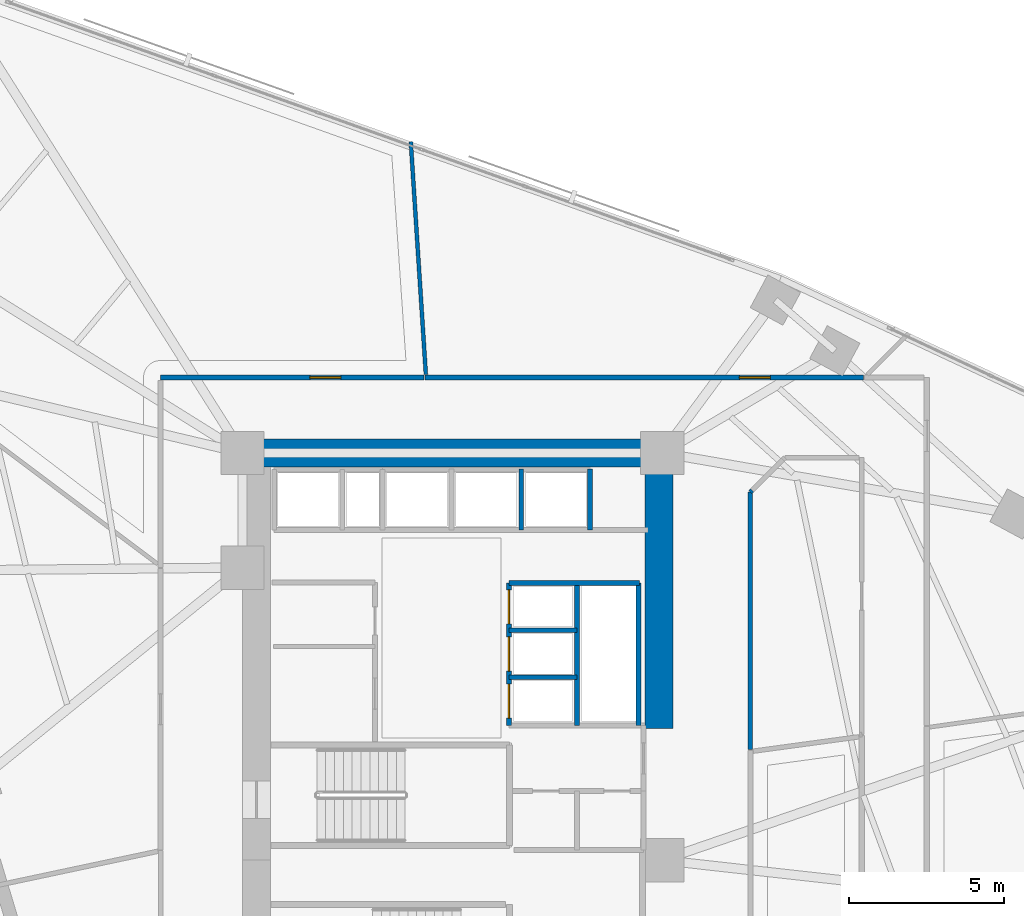
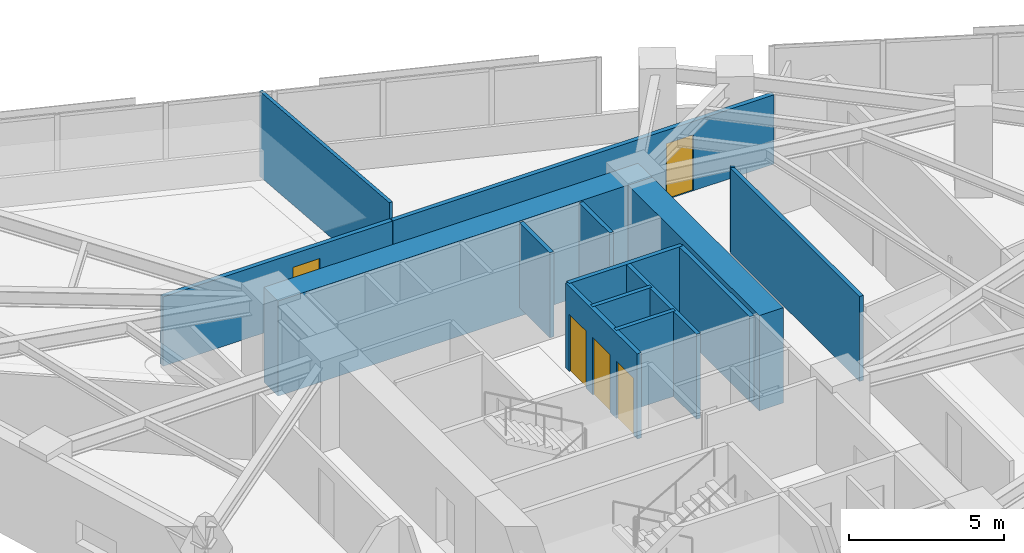
# One storey, part 11 of 16: 15 walls, 5 doors, 5 openings.
"""IFC4 building model written with IfcOpenShell, lengths in metres."""

from ifc_helpers import new_model, si_unit, direction, frame, frame_2d, origin, place, context, subcontext, project, spatial, rectangle, extrude, material, layer, layer_set, type_object, element, fill, save


model = new_model("IFC4")

# Units and contexts
model_context = context("Model", 3, precision=1e-05, world=origin(), true_north=direction((0.0, 1.0)))
body_context = subcontext(model_context, "Body", "Model", "MODEL_VIEW")
ifc_project = project(units=[si_unit("LENGTHUNIT", "METRE"), si_unit("AREAUNIT", "SQUARE_METRE"), si_unit("VOLUMEUNIT", "CUBIC_METRE"), si_unit("PLANEANGLEUNIT", "RADIAN"), si_unit("MASSUNIT", "GRAM", prefix="KILO")], contexts=[model_context])

# Site, building, storey
site_placement = place(None, origin())
site = spatial("IfcSite", under=ifc_project, at=site_placement, CompositionType="ELEMENT")
building_placement = place(site_placement, origin())
building = spatial("IfcBuilding", under=site, at=building_placement, Name="Narakoshi Arena Tower", CompositionType="ELEMENT")
storey_placement = place(building_placement, frame((0.0, 0.0, 132.300048828125)))
storey = spatial("IfcBuildingStorey", under=building, at=storey_placement, Name="L35", CompositionType="ELEMENT", Elevation=132.300048828125)

# Walls
ifc_material_1 = material(Name="Concrete C60/75", Category="concrete")
ifc_layer_1 = layer(ifc_material_1, 0.89990234375)
ifc_layer_set_1 = layer_set([ifc_layer_1], Name="Concrete C60/75")
wall_type_1 = type_object("IfcWallType", Name="WL-CORE-900", PredefinedType="SHEAR", material=ifc_layer_set_1)
wall_1_placement = place(storey_placement, frame((72.0, 56.5, -0.400146484375), z_axis=(0.0, 0.0, 1.0), x_axis=(1.0, 0.0, 0.0)))
element("IfcWall", 1, at=wall_1_placement, inside=storey, type_object=wall_type_1, Name="L35 Main Core Shear Wall CW-MN-N", PredefinedType="SHEAR", context=body_context, shape_type="SweptSolid", body=[
    extrude(rectangle(XDim=13.89990234375, YDim=0.89990234375, at=frame_2d((6.949951171875, 0.0))), origin(), (0.0, 0.0, 1.0), 3.739990234375),
])
wall_2_placement = place(storey_placement, frame((85.449951171875, 47.60009765625, -0.400146484375), z_axis=(0.0, 0.0, 1.0), x_axis=(0.0, 1.0, 0.0)))
element("IfcWall", 2, at=wall_2_placement, inside=storey, type_object=wall_type_1, Name="L35 Main Core Shear Wall CW-MN-E", PredefinedType="SHEAR", context=body_context, shape_type="SweptSolid", body=[
    extrude(rectangle(XDim=8.449951171875, YDim=0.89990234375, at=frame_2d((4.22509765625, 0.0))), origin(), (0.0, 0.0, 1.0), 3.739990234375),
])

# Wall, opening, door
ifc_material_2 = material(Name="Gypsum plasterboard fire-rated partition")
ifc_layer_2 = layer(ifc_material_2, 0.1650390625)
ifc_layer_set_2 = layer_set([ifc_layer_2], Name="Gypsum plasterboard fire-rated partition")
wall_type_2 = type_object("IfcWallType", Name="WL-CORR-165", PredefinedType="PARTITIONING", material=ifc_layer_set_2)
wall_3_placement = place(storey_placement, frame((92.05029296875, 58.93701171875, 0.0), z_axis=(0.0, 0.0, 1.0), x_axis=(-1.0, 0.0, 0.0)))
wall_3 = element("IfcWall", 3, at=wall_3_placement, inside=storey, type_object=wall_type_2, Name="L35 Corridor Partition 05-1", PredefinedType="PARTITIONING", context=body_context, shape_type="SweptSolid", body=[
    extrude(rectangle(XDim=14.1591796875, YDim=0.1650390625, at=frame_2d((7.07958984375, 0.0))), origin(), (0.0, 0.0, 1.0), 2.724853515625),
])
opening_1_placement = place(wall_3_placement, frame((3.007080078125, 0.0, 0.0)))
opening_1 = element("IfcOpeningElement", 4, at=opening_1_placement, cuts=wall_3, Name="Opening D-06", PredefinedType="OPENING", context=body_context, shape_type="SweptSolid", body=[
    extrude(rectangle(XDim=1.0, YDim=2.199951171875, at=frame_2d((0.5, 1.10009765625))), frame((0.0, 0.092529296875, 0.0), z_axis=(0.0, -1.0, 0.0), x_axis=(1.0, 0.0, 0.0)), (0.0, 0.0, 1.0), 0.18505859375),
])
ifc_material_3 = material(Name="Stained oak solid-core timber", Category="wood")
door_type_1 = type_object("IfcDoorType", Name="DR-OFF-1000", OperationType="NOTDEFINED", PredefinedType="DOOR", material=ifc_material_3)
door_1_placement = place(opening_1_placement, frame((1.0, 0.0, 0.0), z_axis=(0.0, 0.0, 1.0), x_axis=(-1.0, 0.0, 0.0)))
door_1 = element("IfcDoor", 5, at=door_1_placement, inside=storey, type_object=door_type_1, Name="DR-L35-019", OperationType="SINGLE_SWING_LEFT", OverallHeight=2.199951171875, OverallWidth=1.0, PredefinedType="DOOR", context=body_context, shape_type="SweptSolid", body=[
    extrude(rectangle(XDim=1.0, YDim=2.199951171875, at=frame_2d((0.5, 1.10009765625))), frame((0.0, 0.02490234375, 0.0), z_axis=(0.0, -1.0, 0.0), x_axis=(1.0, 0.0, 0.0)), (0.0, 0.0, 1.0), 0.050048828125),
])
fill(opening_1, door_1)

wall_4_placement = place(storey_placement, frame((77.8671875, 58.93701171875, 0.0), z_axis=(0.0, 0.0, 1.0), x_axis=(-1.0, 0.0, 0.0)))
wall_4 = element("IfcWall", 6, at=wall_4_placement, inside=storey, type_object=wall_type_2, Name="L35 Corridor Partition 06-1", PredefinedType="PARTITIONING", context=body_context, shape_type="SweptSolid", body=[
    extrude(rectangle(XDim=8.513427734375, YDim=0.1650390625, at=frame_2d((4.2568359375, 0.0))), origin(), (0.0, 0.0, 1.0), 2.724853515625),
])
opening_2_placement = place(wall_4_placement, frame((2.689697265625, 0.0, 0.0)))
opening_2 = element("IfcOpeningElement", 7, at=opening_2_placement, cuts=wall_4, Name="Opening D-06", PredefinedType="OPENING", context=body_context, shape_type="SweptSolid", body=[
    extrude(rectangle(XDim=1.0, YDim=2.199951171875, at=frame_2d((0.5, 1.10009765625))), frame((0.0, 0.092529296875, 0.0), z_axis=(0.0, -1.0, 0.0), x_axis=(1.0, 0.0, 0.0)), (0.0, 0.0, 1.0), 0.18505859375),
])
door_2_placement = place(opening_2_placement, frame((1.0, 0.0, 0.0), z_axis=(0.0, 0.0, 1.0), x_axis=(-1.0, 0.0, 0.0)))
door_2 = element("IfcDoor", 8, at=door_2_placement, inside=storey, type_object=door_type_1, Name="DR-L35-020", OperationType="SINGLE_SWING_RIGHT", OverallHeight=2.199951171875, OverallWidth=1.0, PredefinedType="DOOR", context=body_context, shape_type="SweptSolid", body=[
    extrude(rectangle(XDim=1.0, YDim=2.199951171875, at=frame_2d((0.5, 1.10009765625))), frame((0.0, 0.02490234375, 0.0), z_axis=(0.0, -1.0, 0.0), x_axis=(1.0, 0.0, 0.0)), (0.0, 0.0, 1.0), 0.050048828125),
])
fill(opening_2, door_2)

# Walls
ifc_layer_3 = layer(ifc_material_2, 0.125)
ifc_layer_set_3 = layer_set([ifc_layer_3], Name="Gypsum plasterboard fire-rated partition")
wall_type_3 = type_object("IfcWallType", Name="WL-PART-125", PredefinedType="PARTITIONING", material=ifc_layer_set_3)
wall_5_placement = place(storey_placement, frame((77.9208984375, 59.031494140625, 0.0), z_axis=(0.0, 0.0, 1.0), x_axis=(-0.064701804288, 0.997904643, 0.0)))
element("IfcWall", 9, at=wall_5_placement, inside=storey, type_object=wall_type_3, Name="L35 Inter-Room Partition 05-06", PredefinedType="PARTITIONING", context=body_context, shape_type="SweptSolid", body=[
    extrude(rectangle(XDim=7.535400390625, YDim=0.125, at=frame_2d((3.767578125, 0.0))), origin(), (0.0, 0.0, 1.0), 3.33984375),
])
ifc_material_4 = material(Name="Concrete C40/50", Category="concrete")
ifc_layer_4 = layer(ifc_material_4, 0.280029296875)
ifc_layer_set_4 = layer_set([ifc_layer_4], Name="Concrete C40/50")
wall_type_4 = type_object("IfcWallType", Name="WL-RISER-280", PredefinedType="PLUMBINGWALL", material=ifc_layer_set_4)
for number, where, z_axis, x_axis, name in (
    (10, (80.60009765625, 49.260009765625, 0.0), (0.0, 0.0, 1.0), (1.0, 0.0, 0.0), "L35 Core Wall MR-D1"),
    (11, (80.60009765625, 50.780029296875, 0.0), (0.0, 0.0, 1.0), (1.0, 0.0, 0.0), "L35 Core Wall MR-D2"),
):
    element("IfcWall", number, at=place(storey_placement, frame(where, z_axis=z_axis, x_axis=x_axis)), inside=storey, type_object=wall_type_4, Name=name, PredefinedType="PLUMBINGWALL", context=body_context, shape_type="SweptSolid", body=[
        extrude(rectangle(XDim=2.199951171875, YDim=0.14990234375, at=frame_2d((1.10009765625, 0.0))), origin(), (0.0, 0.0, 1.0), 3.33984375),
    ])
wall_6_placement = place(storey_placement, frame((82.800048828125, 47.699951171875, 0.0), z_axis=(0.0, 0.0, 1.0), x_axis=(0.0, 1.0, 0.0)))
element("IfcWall", 12, at=wall_6_placement, inside=storey, type_object=wall_type_4, Name="L35 Core Wall MR-E", PredefinedType="PLUMBINGWALL", context=body_context, shape_type="SweptSolid", body=[
    extrude(rectangle(XDim=4.60009765625, YDim=0.14990234375, at=frame_2d((2.300048828125, 0.0))), origin(), (0.0, 0.0, 1.0), 3.33984375),
])
wall_7_placement = place(storey_placement, frame((81.0, 54.02001953125, 0.0), z_axis=(0.0, 0.0, 1.0), x_axis=(0.0, 1.0, 0.0)))
element("IfcWall", 13, at=wall_7_placement, inside=storey, type_object=wall_type_4, Name="L35 Core Wall HR-D2", PredefinedType="PLUMBINGWALL", context=body_context, shape_type="SweptSolid", body=[
    extrude(rectangle(XDim=1.9599609375, YDim=0.14990234375, at=frame_2d((0.97998046875, 0.0))), origin(), (0.0, 0.0, 1.0), 3.33984375),
])

# Wall, openings, doors
ifc_material_5 = material(Name="Concrete C50/60", Category="concrete")
ifc_layer_5 = layer(ifc_material_5, 0.35009765625)
ifc_layer_set_5 = layer_set([ifc_layer_5], Name="Concrete C50/60")
wall_type_5 = type_object("IfcWallType", Name="WL-SHAFT-350", PredefinedType="SOLIDWALL", material=ifc_layer_set_5)
wall_8_placement = place(storey_placement, frame((80.60009765625, 47.699951171875, 0.0), z_axis=(0.0, 0.0, 1.0), x_axis=(0.0, 1.0, 0.0)))
wall_8 = element("IfcWall", 14, at=wall_8_placement, inside=storey, type_object=wall_type_5, Name="L35 Core Wall MR-W", PredefinedType="SOLIDWALL", context=body_context, shape_type="SweptSolid", body=[
    extrude(rectangle(XDim=4.60009765625, YDim=0.159912109375, at=frame_2d((2.300048828125, 0.0))), origin(), (0.0, 0.0, 1.0), 3.33984375),
])
opening_3_placement = place(wall_8_placement, frame((0.239990234375, 0.0, 0.0)))
opening_3 = element("IfcOpeningElement", 15, at=opening_3_placement, cuts=wall_8, Name="Opening LD-01", PredefinedType="OPENING", context=body_context, shape_type="SweptSolid", body=[
    extrude(rectangle(XDim=1.10009765625, YDim=2.25, at=frame_2d((0.550048828125, 1.125))), frame((0.0, 0.08984375, 0.0), z_axis=(0.0, -1.0, 0.0), x_axis=(1.0, 0.0, 0.0)), (0.0, 0.0, 1.0), 0.179931640625),
])
opening_4_placement = place(wall_8_placement, frame((1.760009765625, 0.0, 0.0)))
opening_4 = element("IfcOpeningElement", 16, at=opening_4_placement, cuts=wall_8, Name="Opening LD-01", PredefinedType="OPENING", context=body_context, shape_type="SweptSolid", body=[
    extrude(rectangle(XDim=1.10009765625, YDim=2.25, at=frame_2d((0.550048828125, 1.125))), frame((0.0, 0.08984375, 0.0), z_axis=(0.0, -1.0, 0.0), x_axis=(1.0, 0.0, 0.0)), (0.0, 0.0, 1.0), 0.179931640625),
])
opening_5_placement = place(wall_8_placement, frame((3.280029296875, 0.0, 0.0)))
opening_5 = element("IfcOpeningElement", 17, at=opening_5_placement, cuts=wall_8, Name="Opening LD-01", PredefinedType="OPENING", context=body_context, shape_type="SweptSolid", body=[
    extrude(rectangle(XDim=1.10009765625, YDim=2.25, at=frame_2d((0.550048828125, 1.125))), frame((0.0, 0.08984375, 0.0), z_axis=(0.0, -1.0, 0.0), x_axis=(1.0, 0.0, 0.0)), (0.0, 0.0, 1.0), 0.179931640625),
])
ifc_material_6 = material(Name="Brushed bronze stainless steel", Category="steel")
door_type_2 = type_object("IfcDoorType", Name="DR-LFT-1100", OperationType="DOUBLE_DOOR_SLIDING", PredefinedType="DOOR", material=ifc_material_6)
door_3_placement = place(opening_3_placement, frame((1.10009765625, 0.0, 0.0), z_axis=(0.0, 0.0, 1.0), x_axis=(-1.0, 0.0, 0.0)))
door_3 = element("IfcDoor", 18, at=door_3_placement, inside=storey, type_object=door_type_2, Name="DR-L35-012", OperationType="DOUBLE_DOOR_SLIDING", OverallHeight=2.25, OverallWidth=1.10009765625, PredefinedType="DOOR", context=body_context, shape_type="SweptSolid", body=[
    extrude(rectangle(XDim=1.10009765625, YDim=2.25, at=frame_2d((0.550048828125, 1.125))), frame((0.0, 0.02490234375, 0.0), z_axis=(0.0, -1.0, 0.0), x_axis=(1.0, 0.0, 0.0)), (0.0, 0.0, 1.0), 0.050048828125),
])
fill(opening_3, door_3)
door_4_placement = place(opening_4_placement, frame((1.10009765625, 0.0, 0.0), z_axis=(0.0, 0.0, 1.0), x_axis=(-1.0, 0.0, 0.0)))
door_4 = element("IfcDoor", 19, at=door_4_placement, inside=storey, type_object=door_type_2, Name="DR-L35-013", OperationType="DOUBLE_DOOR_SLIDING", OverallHeight=2.25, OverallWidth=1.10009765625, PredefinedType="DOOR", context=body_context, shape_type="SweptSolid", body=[
    extrude(rectangle(XDim=1.10009765625, YDim=2.25, at=frame_2d((0.550048828125, 1.125))), frame((0.0, 0.02490234375, 0.0), z_axis=(0.0, -1.0, 0.0), x_axis=(1.0, 0.0, 0.0)), (0.0, 0.0, 1.0), 0.050048828125),
])
fill(opening_4, door_4)
door_5_placement = place(opening_5_placement, frame((1.10009765625, 0.0, 0.0), z_axis=(0.0, 0.0, 1.0), x_axis=(-1.0, 0.0, 0.0)))
door_5 = element("IfcDoor", 20, at=door_5_placement, inside=storey, type_object=door_type_2, Name="DR-L35-014", OperationType="DOUBLE_DOOR_SLIDING", OverallHeight=2.25, OverallWidth=1.10009765625, PredefinedType="DOOR", context=body_context, shape_type="SweptSolid", body=[
    extrude(rectangle(XDim=1.10009765625, YDim=2.25, at=frame_2d((0.550048828125, 1.125))), frame((0.0, 0.02490234375, 0.0), z_axis=(0.0, -1.0, 0.0), x_axis=(1.0, 0.0, 0.0)), (0.0, 0.0, 1.0), 0.050048828125),
])
fill(opening_5, door_5)

# Walls
wall_9_placement = place(storey_placement, frame((80.60009765625, 52.300048828125, 0.0), z_axis=(0.0, 0.0, 1.0), x_axis=(1.0, 0.0, 0.0)))
element("IfcWall", 21, at=wall_9_placement, inside=storey, type_object=wall_type_5, Name="L35 Core Wall MR-N", PredefinedType="SOLIDWALL", context=body_context, shape_type="SweptSolid", body=[
    extrude(rectangle(XDim=4.219970703125, YDim=0.159912109375, at=frame_2d((2.10986328125, 0.0))), origin(), (0.0, 0.0, 1.0), 3.33984375),
])
wall_10_placement = place(storey_placement, frame((84.780029296875, 47.699951171875, 0.0), z_axis=(0.0, 0.0, 1.0), x_axis=(0.0, 1.0, 0.0)))
element("IfcWall", 22, at=wall_10_placement, inside=storey, type_object=wall_type_5, Name="L35 Core Wall MR-E2", PredefinedType="SOLIDWALL", context=body_context, shape_type="SweptSolid", body=[
    extrude(rectangle(XDim=4.60009765625, YDim=0.159912109375, at=frame_2d((2.300048828125, 0.0))), origin(), (0.0, 0.0, 1.0), 3.33984375),
])
wall_11_placement = place(storey_placement, frame((83.219970703125, 54.02001953125, 0.0), z_axis=(0.0, 0.0, 1.0), x_axis=(0.0, 1.0, 0.0)))
element("IfcWall", 23, at=wall_11_placement, inside=storey, type_object=wall_type_5, Name="L35 Core Wall HR-E", PredefinedType="SOLIDWALL", context=body_context, shape_type="SweptSolid", body=[
    extrude(rectangle(XDim=1.9599609375, YDim=0.14990234375, at=frame_2d((0.97998046875, 0.0))), origin(), (0.0, 0.0, 1.0), 3.33984375),
])
ifc_material_7 = material(Name="Moisture-resistant cement-board partition")
ifc_layer_6 = layer(ifc_material_7, 0.14501953125)
ifc_layer_set_6 = layer_set([ifc_layer_6], Name="Moisture-resistant cement-board partition")
wall_type_6 = type_object("IfcWallType", Name="WL-WET-145", PredefinedType="PARTITIONING", material=ifc_layer_set_6)
wall_12_placement = place(storey_placement, frame((88.39990234375, 46.918701171875, 0.0), z_axis=(0.0, 0.0, 1.0), x_axis=(0.0, 1.0, 0.0)))
element("IfcWall", 24, at=wall_12_placement, inside=storey, type_object=wall_type_6, Name="L35 Corridor Partition 04-2", PredefinedType="PARTITIONING", context=body_context, shape_type="SweptSolid", body=[
    extrude(rectangle(XDim=8.314697265625, YDim=0.14501953125, at=frame_2d((4.1572265625, 0.0))), origin(), (0.0, 0.0, 1.0), 3.33984375),
])
wall_13_placement = place(storey_placement, frame((88.39990234375, 55.2333984375, 0.0), z_axis=(0.0, 0.0, 1.0), x_axis=(0.705671035809, 0.708539617255, 0.0)))
element("IfcWall", 25, at=wall_13_placement, inside=storey, type_object=wall_type_6, Name="L35 Corridor Partition 04-4", PredefinedType="PARTITIONING", context=body_context, shape_type="SweptSolid", body=[
    extrude(rectangle(XDim=0.085205078125, YDim=0.14501953125, at=frame_2d((0.04248046875, 0.0))), origin(), (0.0, 0.0, 1.0), 3.33984375),
])

save(model, "model.ifc")
